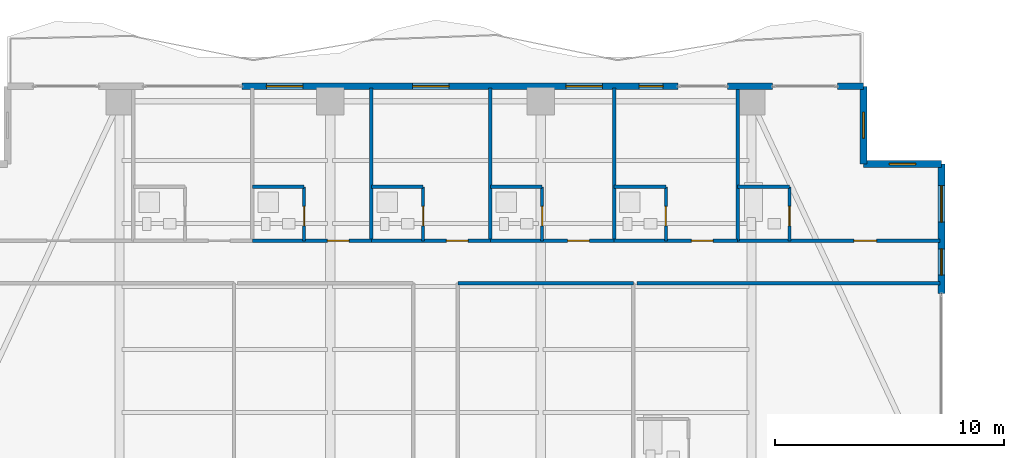
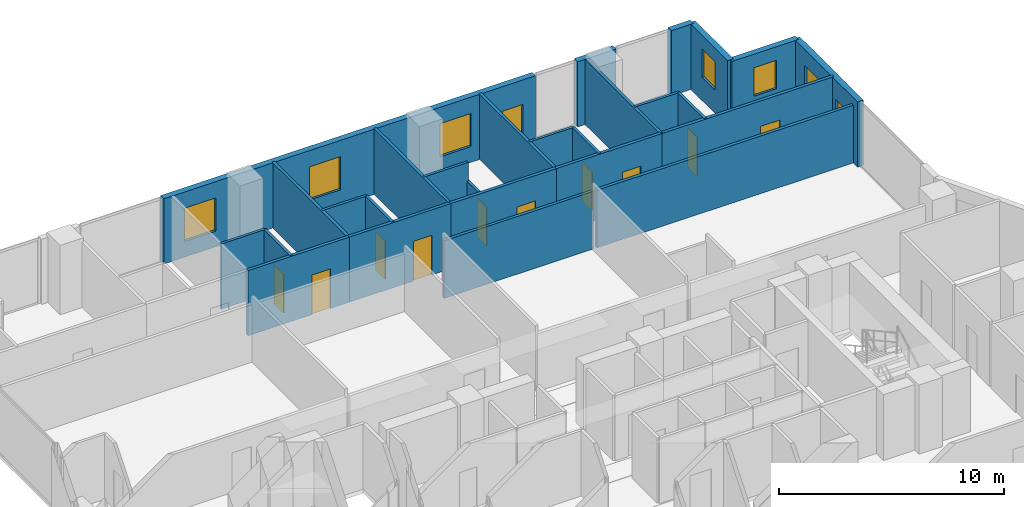
# One storey, part 28 of 33: 27 walls, 11 doors, 7 windows, 18 openings.
"""IFC4 building model written with IfcOpenShell, lengths in metres."""

from ifc_helpers import new_model, si_unit, direction, frame, frame_2d, origin, place, context, subcontext, project, spatial, rectangle, extrude, material, layer, layer_set, type_object, element, fill, save


model = new_model("IFC4")

# Units and contexts
model_context = context("Model", 3, precision=1e-05, world=origin(), true_north=direction((0.0, 1.0)))
body_context = subcontext(model_context, "Body", "Model", "MODEL_VIEW")
ifc_project = project(units=[si_unit("LENGTHUNIT", "METRE"), si_unit("AREAUNIT", "SQUARE_METRE"), si_unit("VOLUMEUNIT", "CUBIC_METRE"), si_unit("PLANEANGLEUNIT", "RADIAN"), si_unit("MASSUNIT", "GRAM", prefix="KILO")], contexts=[model_context])

# Site, building, storey
site_placement = place(None, origin())
site = spatial("IfcSite", under=ifc_project, at=site_placement, CompositionType="ELEMENT")
building_placement = place(site_placement, origin())
building = spatial("IfcBuilding", under=site, at=building_placement, Name="Zuhayl Quay Hotel", CompositionType="ELEMENT")
storey_placement = place(building_placement, frame((0.0, 0.0, 207.39990234375)))
storey = spatial("IfcBuildingStorey", under=building, at=storey_placement, Name="L52", CompositionType="ELEMENT", Elevation=207.39990234375)

# Wall, openings, door, windows
ifc_material_1 = material(Name="Precast concrete C45/55", Category="concrete")
ifc_layer_1 = layer(ifc_material_1, 0.300048828125, Name="Precast concrete C45/55", Category="concrete")
ifc_layer_set_1 = layer_set([ifc_layer_1], Name="Precast concrete C45/55")
wall_type_1 = type_object("IfcWallType", Name="WL_EXT_300", PredefinedType="STANDARD", material=ifc_layer_set_1)
wall_1_placement = place(storey_placement, frame((-8.449951171875, 33.60009765625, 0.0), z_axis=(0.0, 0.0, 1.0), x_axis=(1.0, 0.0, 0.0)))
wall_1 = element("IfcWall", 1, at=wall_1_placement, inside=storey, type_object=wall_type_1, Name="L52 Exterior Precast Wall ENV_L52_N_EW3", PredefinedType="STANDARD", context=body_context, shape_type="SweptSolid", body=[
    extrude(rectangle(XDim=19.044921875, YDim=0.300048828125, at=frame_2d((9.5224609375, 0.0))), origin(), (0.0, 0.0, 1.0), 3.530029296875),
])
opening_1_placement = place(wall_1_placement, frame((17.344970703125, 0.0, 0.0)))
opening_1 = element("IfcOpeningElement", 2, at=opening_1_placement, cuts=wall_1, Name="Opening DG1", PredefinedType="OPENING", context=body_context, shape_type="SweptSolid", body=[
    extrude(rectangle(XDim=1.050048828125, YDim=2.199951171875, at=frame_2d((0.52490234375, 1.10009765625))), frame((0.0, 0.159912109375, 0.0), z_axis=(0.0, -1.0, 0.0), x_axis=(1.0, 0.0, 0.0)), (0.0, 0.0, 1.0), 0.320068359375),
])
opening_2_placement = place(wall_1_placement, frame((7.449951171875, 0.0, 0.85009765625)))
opening_2 = element("IfcOpeningElement", 3, at=opening_2_placement, cuts=wall_1, Name="Opening W01", PredefinedType="OPENING", context=body_context, shape_type="SweptSolid", body=[
    extrude(rectangle(XDim=1.60009765625, YDim=1.800048828125, at=frame_2d((0.800048828125, 0.89990234375))), frame((0.0, 0.159912109375, 0.0), z_axis=(0.0, -1.0, 0.0), x_axis=(1.0, 0.0, 0.0)), (0.0, 0.0, 1.0), 0.320068359375),
])
opening_3_placement = place(wall_1_placement, frame((1.06005859375, 0.0, 0.85009765625)))
opening_3 = element("IfcOpeningElement", 4, at=opening_3_placement, cuts=wall_1, Name="Opening W01", PredefinedType="OPENING", context=body_context, shape_type="SweptSolid", body=[
    extrude(rectangle(XDim=1.60009765625, YDim=1.800048828125, at=frame_2d((0.800048828125, 0.89990234375))), frame((0.0, 0.159912109375, 0.0), z_axis=(0.0, -1.0, 0.0), x_axis=(1.0, 0.0, 0.0)), (0.0, 0.0, 1.0), 0.320068359375),
])
opening_4_placement = place(wall_1_placement, frame((14.139892578125, 0.0, 0.85009765625)))
opening_4 = element("IfcOpeningElement", 5, at=opening_4_placement, cuts=wall_1, Name="Opening W01", PredefinedType="OPENING", context=body_context, shape_type="SweptSolid", body=[
    extrude(rectangle(XDim=1.60009765625, YDim=1.800048828125, at=frame_2d((0.800048828125, 0.89990234375))), frame((0.0, 0.159912109375, 0.0), z_axis=(0.0, -1.0, 0.0), x_axis=(1.0, 0.0, 0.0)), (0.0, 0.0, 1.0), 0.320068359375),
])
ifc_material_2 = material(Name="Anodised Aluminium and Dark Solar Glass", Category="aluminium")
door_type_1 = type_object("IfcDoorType", Name="DR_EXT_TERR_1050", OperationType="NOTDEFINED", PredefinedType="DOOR", material=ifc_material_2)
door_1_placement = place(opening_1_placement, origin())
door_1 = element("IfcDoor", 6, at=door_1_placement, inside=storey, type_object=door_type_1, Name="L52 North Rippling Balcony Door", OperationType="SINGLE_SWING_LEFT", OverallHeight=2.199951171875, OverallWidth=1.050048828125, PredefinedType="DOOR", context=body_context, shape_type="SweptSolid", body=[
    extrude(rectangle(XDim=1.050048828125, YDim=2.199951171875, at=frame_2d((0.52490234375, 1.10009765625))), frame((0.0, 0.02490234375, 0.0), z_axis=(0.0, -1.0, 0.0), x_axis=(1.0, 0.0, 0.0)), (0.0, 0.0, 1.0), 0.050048828125),
])
fill(opening_1, door_1)
ifc_material_3 = material(Name="Dark Ceramic-Fritted Solar Glass", Category="glass")
window_type_1 = type_object("IfcWindowType", Name="WN_OPERABLE_1600", PartitioningType="DOUBLE_PANEL_VERTICAL", PredefinedType="WINDOW", material=ifc_material_3)
window_1_placement = place(opening_2_placement, origin())
window_1 = element("IfcWindow", 7, at=window_1_placement, inside=storey, type_object=window_type_1, Name="L52 North Operable Casement Window", OverallHeight=1.800048828125, OverallWidth=1.60009765625, PartitioningType="SINGLE_PANEL", PredefinedType="WINDOW", context=body_context, shape_type="SweptSolid", body=[
    extrude(rectangle(XDim=1.60009765625, YDim=1.800048828125, at=frame_2d((0.800048828125, 0.89990234375))), frame((0.0, 0.030029296875, 0.0), z_axis=(0.0, -1.0, 0.0), x_axis=(1.0, 0.0, 0.0)), (0.0, 0.0, 1.0), 0.06005859375),
])
fill(opening_2, window_1)
window_2_placement = place(opening_3_placement, origin())
window_2 = element("IfcWindow", 8, at=window_2_placement, inside=storey, type_object=window_type_1, Name="L52 Operable Facade Window 3-1", OverallHeight=1.800048828125, OverallWidth=1.60009765625, PartitioningType="SINGLE_PANEL", PredefinedType="WINDOW", context=body_context, shape_type="SweptSolid", body=[
    extrude(rectangle(XDim=1.60009765625, YDim=1.800048828125, at=frame_2d((0.800048828125, 0.89990234375))), frame((0.0, 0.030029296875, 0.0), z_axis=(0.0, -1.0, 0.0), x_axis=(1.0, 0.0, 0.0)), (0.0, 0.0, 1.0), 0.06005859375),
])
fill(opening_3, window_2)
window_3_placement = place(opening_4_placement, origin())
window_3 = element("IfcWindow", 9, at=window_3_placement, inside=storey, type_object=window_type_1, Name="L52 Operable Facade Window 3-2", OverallHeight=1.800048828125, OverallWidth=1.60009765625, PartitioningType="SINGLE_PANEL", PredefinedType="WINDOW", context=body_context, shape_type="SweptSolid", body=[
    extrude(rectangle(XDim=1.60009765625, YDim=1.800048828125, at=frame_2d((0.800048828125, 0.89990234375))), frame((0.0, 0.030029296875, 0.0), z_axis=(0.0, -1.0, 0.0), x_axis=(1.0, 0.0, 0.0)), (0.0, 0.0, 1.0), 0.06005859375),
])
fill(opening_4, window_3)

# Walls
wall_2_placement = place(storey_placement, frame((12.75, 33.60009765625, 0.0), z_axis=(0.0, 0.0, 1.0), x_axis=(1.0, 0.0, 0.0)))
element("IfcWall", 10, at=wall_2_placement, inside=storey, type_object=wall_type_1, Name="L52 Exterior Precast Wall ENV_L52_N_EW4", PredefinedType="STANDARD", context=body_context, shape_type="SweptSolid", body=[
    extrude(rectangle(XDim=1.969970703125, YDim=0.300048828125, at=frame_2d((0.98486328125, 0.0))), origin(), (0.0, 0.0, 1.0), 3.530029296875),
])
wall_3_placement = place(storey_placement, frame((17.550048828125, 33.60009765625, 0.0), z_axis=(0.0, 0.0, 1.0), x_axis=(1.0, 0.0, 0.0)))
element("IfcWall", 11, at=wall_3_placement, inside=storey, type_object=wall_type_1, Name="L52 Exterior Precast Wall ENV_L52_N_EW5", PredefinedType="STANDARD", context=body_context, shape_type="SweptSolid", body=[
    extrude(rectangle(XDim=1.14990234375, YDim=0.300048828125, at=frame_2d((0.574951171875, 0.0))), origin(), (0.0, 0.0, 1.0), 3.530029296875),
])

# Wall, opening, window
wall_4_placement = place(storey_placement, frame((18.699951171875, 33.60009765625, 0.0), z_axis=(0.0, 0.0, 1.0), x_axis=(0.0, -1.0, 0.0)))
wall_4 = element("IfcWall", 12, at=wall_4_placement, inside=storey, type_object=wall_type_1, Name="L52 Exterior Precast Wall ENV_L52_EW09", PredefinedType="STANDARD", context=body_context, shape_type="SweptSolid", body=[
    extrude(rectangle(XDim=3.400146484375, YDim=0.300048828125, at=frame_2d((1.7001953125, 0.0))), origin(), (0.0, 0.0, 1.0), 3.530029296875),
])
opening_5_placement = place(wall_4_placement, frame((1.125, 0.0, 1.25)))
opening_5 = element("IfcOpeningElement", 13, at=opening_5_placement, cuts=wall_4, Name="Opening W01N", PredefinedType="OPENING", context=body_context, shape_type="SweptSolid", body=[
    extrude(rectangle(XDim=1.14990234375, YDim=1.550048828125, at=frame_2d((0.574951171875, 0.77490234375))), frame((0.0, 0.159912109375, 0.0), z_axis=(0.0, -1.0, 0.0), x_axis=(1.0, 0.0, 0.0)), (0.0, 0.0, 1.0), 0.320068359375),
])
window_type_2 = type_object("IfcWindowType", Name="WN_NOTCH_1350", PartitioningType="SINGLE_PANEL", PredefinedType="WINDOW", material=ifc_material_3)
window_4_placement = place(opening_5_placement, origin())
window_4 = element("IfcWindow", 14, at=window_4_placement, inside=storey, type_object=window_type_2, Name="L52 Corner Notch Window 9", OverallHeight=1.550048828125, OverallWidth=1.14990234375, PartitioningType="SINGLE_PANEL", PredefinedType="WINDOW", context=body_context, shape_type="SweptSolid", body=[
    extrude(rectangle(XDim=1.14990234375, YDim=1.550048828125, at=frame_2d((0.574951171875, 0.77490234375))), frame((0.0, 0.030029296875, 0.0), z_axis=(0.0, -1.0, 0.0), x_axis=(1.0, 0.0, 0.0)), (0.0, 0.0, 1.0), 0.06005859375),
])
fill(opening_5, window_4)

wall_5_placement = place(storey_placement, frame((18.699951171875, 30.199951171875, 0.0), z_axis=(0.0, 0.0, 1.0), x_axis=(1.0, 0.0, 0.0)))
wall_5 = element("IfcWall", 15, at=wall_5_placement, inside=storey, type_object=wall_type_1, Name="L52 Exterior Precast Wall ENV_L52_EW10", PredefinedType="STANDARD", context=body_context, shape_type="SweptSolid", body=[
    extrude(rectangle(XDim=3.400146484375, YDim=0.300048828125, at=frame_2d((1.7001953125, 0.0))), origin(), (0.0, 0.0, 1.0), 3.530029296875),
])
opening_6_placement = place(wall_5_placement, frame((1.125, 0.0, 1.25)))
opening_6 = element("IfcOpeningElement", 16, at=opening_6_placement, cuts=wall_5, Name="Opening W01N", PredefinedType="OPENING", context=body_context, shape_type="SweptSolid", body=[
    extrude(rectangle(XDim=1.14990234375, YDim=1.550048828125, at=frame_2d((0.574951171875, 0.77490234375))), frame((0.0, 0.159912109375, 0.0), z_axis=(0.0, -1.0, 0.0), x_axis=(1.0, 0.0, 0.0)), (0.0, 0.0, 1.0), 0.320068359375),
])
window_5_placement = place(opening_6_placement, origin())
window_5 = element("IfcWindow", 17, at=window_5_placement, inside=storey, type_object=window_type_2, Name="L52 Corner Notch Window 10", OverallHeight=1.550048828125, OverallWidth=1.14990234375, PartitioningType="SINGLE_PANEL", PredefinedType="WINDOW", context=body_context, shape_type="SweptSolid", body=[
    extrude(rectangle(XDim=1.14990234375, YDim=1.550048828125, at=frame_2d((0.574951171875, 0.77490234375))), frame((0.0, 0.030029296875, 0.0), z_axis=(0.0, -1.0, 0.0), x_axis=(1.0, 0.0, 0.0)), (0.0, 0.0, 1.0), 0.06005859375),
])
fill(opening_6, window_5)

# Wall, openings, windows
wall_6_placement = place(storey_placement, frame((22.10009765625, 30.199951171875, 0.0), z_axis=(0.0, 0.0, 1.0), x_axis=(0.0, -1.0, 0.0)))
wall_6 = element("IfcWall", 18, at=wall_6_placement, inside=storey, type_object=wall_type_1, Name="L52 Exterior Precast Wall ENV_L52_E11_EW1", PredefinedType="STANDARD", context=body_context, shape_type="SweptSolid", body=[
    extrude(rectangle(XDim=5.64990234375, YDim=0.300048828125, at=frame_2d((2.824951171875, 0.0))), origin(), (0.0, 0.0, 1.0), 3.530029296875),
])
opening_7_placement = place(wall_6_placement, frame((0.93505859375, 0.0, 0.85009765625)))
opening_7 = element("IfcOpeningElement", 19, at=opening_7_placement, cuts=wall_6, Name="Opening W01", PredefinedType="OPENING", context=body_context, shape_type="SweptSolid", body=[
    extrude(rectangle(XDim=1.60009765625, YDim=1.800048828125, at=frame_2d((0.800048828125, 0.89990234375))), frame((0.0, 0.159912109375, 0.0), z_axis=(0.0, -1.0, 0.0), x_axis=(1.0, 0.0, 0.0)), (0.0, 0.0, 1.0), 0.320068359375),
])
opening_8_placement = place(wall_6_placement, frame((3.699951171875, 0.0, 0.949951171875)))
opening_8 = element("IfcOpeningElement", 20, at=opening_8_placement, cuts=wall_6, Name="Opening W01N", PredefinedType="OPENING", context=body_context, shape_type="SweptSolid", body=[
    extrude(rectangle(XDim=1.14990234375, YDim=1.550048828125, at=frame_2d((0.574951171875, 0.77490234375))), frame((0.0, 0.159912109375, 0.0), z_axis=(0.0, -1.0, 0.0), x_axis=(1.0, 0.0, 0.0)), (0.0, 0.0, 1.0), 0.320068359375),
])
window_6_placement = place(opening_8_placement, origin())
window_6 = element("IfcWindow", 21, at=window_6_placement, inside=storey, type_object=window_type_2, Name="L52 Operable Facade Window 1-2", OverallHeight=1.550048828125, OverallWidth=1.14990234375, PartitioningType="SINGLE_PANEL", PredefinedType="WINDOW", context=body_context, shape_type="SweptSolid", body=[
    extrude(rectangle(XDim=1.14990234375, YDim=1.550048828125, at=frame_2d((0.574951171875, 0.77490234375))), frame((0.0, 0.030029296875, 0.0), z_axis=(0.0, -1.0, 0.0), x_axis=(1.0, 0.0, 0.0)), (0.0, 0.0, 1.0), 0.06005859375),
])
fill(opening_8, window_6)
window_7_placement = place(opening_7_placement, origin())
window_7 = element("IfcWindow", 22, at=window_7_placement, inside=storey, type_object=window_type_1, Name="L52 Operable Facade Window 1-1", OverallHeight=1.800048828125, OverallWidth=1.60009765625, PartitioningType="SINGLE_PANEL", PredefinedType="WINDOW", context=body_context, shape_type="SweptSolid", body=[
    extrude(rectangle(XDim=1.60009765625, YDim=1.800048828125, at=frame_2d((0.800048828125, 0.89990234375))), frame((0.0, 0.030029296875, 0.0), z_axis=(0.0, -1.0, 0.0), x_axis=(1.0, 0.0, 0.0)), (0.0, 0.0, 1.0), 0.06005859375),
])
fill(opening_7, window_7)

# Walls
ifc_material_4 = material(Name="Acoustic Gypsum Partition STC-58")
ifc_layer_2 = layer(ifc_material_4, 0.14990234375, Name="Acoustic Gypsum Partition STC-58")
ifc_layer_set_2 = layer_set([ifc_layer_2], Name="Acoustic Gypsum Partition STC-58")
wall_type_2 = type_object("IfcWallType", Name="WL_PART_150", PredefinedType="PARTITIONING", material=ifc_layer_set_2)
for number, where, z_axis, x_axis, name in (
    (23, (-2.800048828125, 26.85009765625, 0.0), (0.0, 0.0, 1.0), (0.0, 1.0, 0.0), "L52 Partition IW_L52_NU03_E"),
    (24, (2.39990234375, 26.85009765625, 0.0), (0.0, 0.0, 1.0), (0.0, 1.0, 0.0), "L52 Partition IW_L52_NU04_E"),
    (25, (7.800048828125, 26.85009765625, 0.0), (0.0, 0.0, 1.0), (0.0, 1.0, 0.0), "L52 Partition IW_L52_NU05_E"),
    (26, (13.199951171875, 26.85009765625, 0.0), (0.0, 0.0, 1.0), (0.0, 1.0, 0.0), "L52 Partition IW_L52_NU06_E"),
):
    element("IfcWall", number, at=place(storey_placement, frame(where, z_axis=z_axis, x_axis=x_axis)), inside=storey, type_object=wall_type_2, Name=name, PredefinedType="PARTITIONING", context=body_context, shape_type="SweptSolid", body=[
        extrude(rectangle(XDim=6.669921875, YDim=0.14990234375, at=frame_2d((3.3349609375, 0.0))), origin(), (0.0, 0.0, 1.0), 3.530029296875),
    ])
wall_7_placement = place(storey_placement, frame((0.97998046875, 25.0, 0.0), z_axis=(0.0, 0.0, 1.0), x_axis=(1.0, 0.0, 0.0)))
element("IfcWall", 27, at=wall_7_placement, inside=storey, type_object=wall_type_2, Name="L52 Partition IW_L52_Z3_MID_E_N", PredefinedType="PARTITIONING", context=body_context, shape_type="SweptSolid", body=[
    extrude(rectangle(XDim=7.659912109375, YDim=0.14990234375, at=frame_2d((3.830078125, 0.0))), origin(), (0.0, 0.0, 1.0), 3.1240234375),
])

# Wall, opening, door
ifc_layer_3 = layer(ifc_material_4, 0.159912109375, Name="Acoustic Gypsum Partition STC-58")
ifc_layer_set_3 = layer_set([ifc_layer_3], Name="Acoustic Gypsum Partition STC-58")
wall_type_3 = type_object("IfcWallType", Name="WL_PART_CORR_160", PredefinedType="PARTITIONING", material=ifc_layer_set_3)
wall_8_placement = place(storey_placement, frame((-8.0, 26.85009765625, 0.0), z_axis=(0.0, 0.0, 1.0), x_axis=(1.0, 0.0, 0.0)))
wall_8 = element("IfcWall", 28, at=wall_8_placement, inside=storey, type_object=wall_type_3, Name="L52 Partition IW_L52_NU03_COR", PredefinedType="PARTITIONING", context=body_context, shape_type="SweptSolid", body=[
    extrude(rectangle(XDim=5.199951171875, YDim=0.159912109375, at=frame_2d((2.60009765625, 0.0))), origin(), (0.0, 0.0, 1.0), 3.530029296875),
])
opening_9_placement = place(wall_8_placement, frame((3.27490234375, 0.0, 0.0)))
opening_9 = element("IfcOpeningElement", 29, at=opening_9_placement, cuts=wall_8, Name="Opening D03", PredefinedType="OPENING", context=body_context, shape_type="SweptSolid", body=[
    extrude(rectangle(XDim=0.949951171875, YDim=2.14990234375, at=frame_2d((0.47509765625, 1.074951171875))), frame((0.0, 0.08984375, 0.0), z_axis=(0.0, -1.0, 0.0), x_axis=(1.0, 0.0, 0.0)), (0.0, 0.0, 1.0), 0.179931640625),
])
ifc_material_5 = material(Name="Solid Walnut Acoustic Fire Door")
door_type_2 = type_object("IfcDoorType", Name="DR_SUITE_950", OperationType="NOTDEFINED", PredefinedType="DOOR", material=ifc_material_5)
door_2_placement = place(opening_9_placement, origin())
door_2 = element("IfcDoor", 30, at=door_2_placement, inside=storey, type_object=door_type_2, Name="L52 Panoramic Gulf Guest Room L52-03 Entrance Door", OperationType="SINGLE_SWING_LEFT", OverallHeight=2.14990234375, OverallWidth=0.949951171875, PredefinedType="DOOR", context=body_context, shape_type="SweptSolid", body=[
    extrude(rectangle(XDim=0.949951171875, YDim=2.14990234375, at=frame_2d((0.47509765625, 1.074951171875))), frame((0.0, 0.02490234375, 0.0), z_axis=(0.0, -1.0, 0.0), x_axis=(1.0, 0.0, 0.0)), (0.0, 0.0, 1.0), 0.050048828125),
])
fill(opening_9, door_2)

wall_9_placement = place(storey_placement, frame((-2.800048828125, 26.85009765625, 0.0), z_axis=(0.0, 0.0, 1.0), x_axis=(1.0, 0.0, 0.0)))
wall_9 = element("IfcWall", 31, at=wall_9_placement, inside=storey, type_object=wall_type_3, Name="L52 Partition IW_L52_NU04_COR", PredefinedType="PARTITIONING", context=body_context, shape_type="SweptSolid", body=[
    extrude(rectangle(XDim=5.199951171875, YDim=0.159912109375, at=frame_2d((2.60009765625, 0.0))), origin(), (0.0, 0.0, 1.0), 3.530029296875),
])
opening_10_placement = place(wall_9_placement, frame((3.27490234375, 0.0, 0.0)))
opening_10 = element("IfcOpeningElement", 32, at=opening_10_placement, cuts=wall_9, Name="Opening D03", PredefinedType="OPENING", context=body_context, shape_type="SweptSolid", body=[
    extrude(rectangle(XDim=0.949951171875, YDim=2.14990234375, at=frame_2d((0.47509765625, 1.074951171875))), frame((0.0, 0.08984375, 0.0), z_axis=(0.0, -1.0, 0.0), x_axis=(1.0, 0.0, 0.0)), (0.0, 0.0, 1.0), 0.179931640625),
])
door_3_placement = place(opening_10_placement, origin())
door_3 = element("IfcDoor", 33, at=door_3_placement, inside=storey, type_object=door_type_2, Name="L52 Panoramic Gulf Guest Room L52-04 Entrance Door", OperationType="SINGLE_SWING_LEFT", OverallHeight=2.14990234375, OverallWidth=0.949951171875, PredefinedType="DOOR", context=body_context, shape_type="SweptSolid", body=[
    extrude(rectangle(XDim=0.949951171875, YDim=2.14990234375, at=frame_2d((0.47509765625, 1.074951171875))), frame((0.0, 0.02490234375, 0.0), z_axis=(0.0, -1.0, 0.0), x_axis=(1.0, 0.0, 0.0)), (0.0, 0.0, 1.0), 0.050048828125),
])
fill(opening_10, door_3)

wall_10_placement = place(storey_placement, frame((2.39990234375, 26.85009765625, 0.0), z_axis=(0.0, 0.0, 1.0), x_axis=(1.0, 0.0, 0.0)))
wall_10 = element("IfcWall", 34, at=wall_10_placement, inside=storey, type_object=wall_type_3, Name="L52 Partition IW_L52_NU05_COR", PredefinedType="PARTITIONING", context=body_context, shape_type="SweptSolid", body=[
    extrude(rectangle(XDim=5.400146484375, YDim=0.159912109375, at=frame_2d((2.7001953125, 0.0))), origin(), (0.0, 0.0, 1.0), 3.530029296875),
])
opening_11_placement = place(wall_10_placement, frame((3.375, 0.0, 0.0)))
opening_11 = element("IfcOpeningElement", 35, at=opening_11_placement, cuts=wall_10, Name="Opening D03", PredefinedType="OPENING", context=body_context, shape_type="SweptSolid", body=[
    extrude(rectangle(XDim=0.949951171875, YDim=2.14990234375, at=frame_2d((0.47509765625, 1.074951171875))), frame((0.0, 0.08984375, 0.0), z_axis=(0.0, -1.0, 0.0), x_axis=(1.0, 0.0, 0.0)), (0.0, 0.0, 1.0), 0.179931640625),
])
door_4_placement = place(opening_11_placement, origin())
door_4 = element("IfcDoor", 36, at=door_4_placement, inside=storey, type_object=door_type_2, Name="L52 Panoramic Gulf Guest Room L52-05 Entrance Door", OperationType="SINGLE_SWING_LEFT", OverallHeight=2.14990234375, OverallWidth=0.949951171875, PredefinedType="DOOR", context=body_context, shape_type="SweptSolid", body=[
    extrude(rectangle(XDim=0.949951171875, YDim=2.14990234375, at=frame_2d((0.47509765625, 1.074951171875))), frame((0.0, 0.02490234375, 0.0), z_axis=(0.0, -1.0, 0.0), x_axis=(1.0, 0.0, 0.0)), (0.0, 0.0, 1.0), 0.050048828125),
])
fill(opening_11, door_4)

wall_11_placement = place(storey_placement, frame((7.800048828125, 26.85009765625, 0.0), z_axis=(0.0, 0.0, 1.0), x_axis=(1.0, 0.0, 0.0)))
wall_11 = element("IfcWall", 37, at=wall_11_placement, inside=storey, type_object=wall_type_3, Name="L52 Partition IW_L52_NU06_COR", PredefinedType="PARTITIONING", context=body_context, shape_type="SweptSolid", body=[
    extrude(rectangle(XDim=5.39990234375, YDim=0.159912109375, at=frame_2d((2.699951171875, 0.0))), origin(), (0.0, 0.0, 1.0), 3.530029296875),
])
opening_12_placement = place(wall_11_placement, frame((3.375, 0.0, 0.0)))
opening_12 = element("IfcOpeningElement", 38, at=opening_12_placement, cuts=wall_11, Name="Opening D03", PredefinedType="OPENING", context=body_context, shape_type="SweptSolid", body=[
    extrude(rectangle(XDim=0.949951171875, YDim=2.14990234375, at=frame_2d((0.47509765625, 1.074951171875))), frame((0.0, 0.08984375, 0.0), z_axis=(0.0, -1.0, 0.0), x_axis=(1.0, 0.0, 0.0)), (0.0, 0.0, 1.0), 0.179931640625),
])
door_5_placement = place(opening_12_placement, origin())
door_5 = element("IfcDoor", 39, at=door_5_placement, inside=storey, type_object=door_type_2, Name="L52 Panoramic Gulf Guest Room L52-06 Entrance Door", OperationType="SINGLE_SWING_LEFT", OverallHeight=2.14990234375, OverallWidth=0.949951171875, PredefinedType="DOOR", context=body_context, shape_type="SweptSolid", body=[
    extrude(rectangle(XDim=0.949951171875, YDim=2.14990234375, at=frame_2d((0.47509765625, 1.074951171875))), frame((0.0, 0.02490234375, 0.0), z_axis=(0.0, -1.0, 0.0), x_axis=(1.0, 0.0, 0.0)), (0.0, 0.0, 1.0), 0.050048828125),
])
fill(opening_12, door_5)

wall_12_placement = place(storey_placement, frame((13.199951171875, 26.85009765625, 0.0), z_axis=(0.0, 0.0, 1.0), x_axis=(1.0, 0.0, 0.0)))
wall_12 = element("IfcWall", 40, at=wall_12_placement, inside=storey, type_object=wall_type_3, Name="L52 Partition IW_L52_NU07_COR", PredefinedType="PARTITIONING", context=body_context, shape_type="SweptSolid", body=[
    extrude(rectangle(XDim=8.840087890625, YDim=0.159912109375, at=frame_2d((4.419921875, 0.0))), origin(), (0.0, 0.0, 1.0), 3.530029296875),
])
opening_13_placement = place(wall_12_placement, frame((5.070068359375, 0.0, 0.0)))
opening_13 = element("IfcOpeningElement", 41, at=opening_13_placement, cuts=wall_12, Name="Opening D03L", PredefinedType="OPENING", context=body_context, shape_type="SweptSolid", body=[
    extrude(rectangle(XDim=1.0, YDim=2.14990234375, at=frame_2d((0.5, 1.074951171875))), frame((0.0, 0.08984375, 0.0), z_axis=(0.0, -1.0, 0.0), x_axis=(1.0, 0.0, 0.0)), (0.0, 0.0, 1.0), 0.179931640625),
])
door_type_3 = type_object("IfcDoorType", Name="DR_SUITE_1000", OperationType="NOTDEFINED", PredefinedType="DOOR", material=ifc_material_5)
door_6_placement = place(opening_13_placement, origin())
door_6 = element("IfcDoor", 42, at=door_6_placement, inside=storey, type_object=door_type_3, Name="L52 Panoramic Gulf Guest Room L52-07 Entrance Door", OperationType="SINGLE_SWING_LEFT", OverallHeight=2.14990234375, OverallWidth=1.0, PredefinedType="DOOR", context=body_context, shape_type="SweptSolid", body=[
    extrude(rectangle(XDim=1.0, YDim=2.14990234375, at=frame_2d((0.5, 1.074951171875))), frame((0.0, 0.02490234375, 0.0), z_axis=(0.0, -1.0, 0.0), x_axis=(1.0, 0.0, 0.0)), (0.0, 0.0, 1.0), 0.050048828125),
])
fill(opening_13, door_6)

# Wall
wall_13_placement = place(storey_placement, frame((8.800048828125, 25.0, 0.0), z_axis=(0.0, 0.0, 1.0), x_axis=(1.0, 0.0, 0.0)))
element("IfcWall", 43, at=wall_13_placement, inside=storey, type_object=wall_type_3, Name="L52 Partition IW_L52_MU04_BK", PredefinedType="PARTITIONING", context=body_context, shape_type="SweptSolid", body=[
    extrude(rectangle(XDim=13.239990234375, YDim=0.159912109375, at=frame_2d((6.6201171875, 0.0))), origin(), (0.0, 0.0, 1.0), 3.1240234375),
])

# Wall, opening, door
ifc_material_6 = material(Name="Moisture-Resistant Sanitarychase Gypsum")
ifc_layer_4 = layer(ifc_material_6, 0.135009765625, Name="Moisture-Resistant Sanitarychase Gypsum")
ifc_layer_set_4 = layer_set([ifc_layer_4], Name="Moisture-Resistant Sanitarychase Gypsum")
wall_type_4 = type_object("IfcWallType", Name="WL_PART_PLUMB_150", PredefinedType="PLUMBINGWALL", material=ifc_layer_set_4)
wall_14_placement = place(storey_placement, frame((-5.739990234375, 26.85009765625, 0.0), z_axis=(0.0, 0.0, 1.0), x_axis=(0.0, 1.0, 0.0)))
wall_14 = element("IfcWall", 44, at=wall_14_placement, inside=storey, type_object=wall_type_4, Name="L52 Partition IW_L52_NU03_BE", PredefinedType="PLUMBINGWALL", context=body_context, shape_type="SweptSolid", body=[
    extrude(rectangle(XDim=2.35986328125, YDim=0.135009765625, at=frame_2d((1.179931640625, 0.0))), origin(), (0.0, 0.0, 1.0), 3.530029296875),
])
opening_14_placement = place(wall_14_placement, frame((0.64990234375, 0.0, 0.0)))
opening_14 = element("IfcOpeningElement", 45, at=opening_14_placement, cuts=wall_14, Name="Opening D04", PredefinedType="OPENING", context=body_context, shape_type="SweptSolid", body=[
    extrude(rectangle(XDim=0.85009765625, YDim=2.10009765625, at=frame_2d((0.425048828125, 1.050048828125))), frame((0.0, 0.077392578125, 0.0), z_axis=(0.0, -1.0, 0.0), x_axis=(1.0, 0.0, 0.0)), (0.0, 0.0, 1.0), 0.155029296875),
])
ifc_material_7 = material(Name="Moisture-Resistant Walnut Veneer")
door_type_4 = type_object("IfcDoorType", Name="DR_BATH_850", OperationType="NOTDEFINED", PredefinedType="DOOR", material=ifc_material_7)
door_7_placement = place(opening_14_placement, origin())
door_7 = element("IfcDoor", 46, at=door_7_placement, inside=storey, type_object=door_type_4, Name="L52 Panoramic Gulf Guest Room L52-03 En-Suite Door", OperationType="SINGLE_SWING_RIGHT", OverallHeight=2.10009765625, OverallWidth=0.85009765625, PredefinedType="DOOR", context=body_context, shape_type="SweptSolid", body=[
    extrude(rectangle(XDim=0.85009765625, YDim=2.10009765625, at=frame_2d((0.425048828125, 1.050048828125))), frame((0.0, 0.02490234375, 0.0), z_axis=(0.0, -1.0, 0.0), x_axis=(1.0, 0.0, 0.0)), (0.0, 0.0, 1.0), 0.050048828125),
])
fill(opening_14, door_7)

wall_15_placement = place(storey_placement, frame((-0.5400390625, 26.85009765625, 0.0), z_axis=(0.0, 0.0, 1.0), x_axis=(0.0, 1.0, 0.0)))
wall_15 = element("IfcWall", 47, at=wall_15_placement, inside=storey, type_object=wall_type_4, Name="L52 Partition IW_L52_NU04_BE", PredefinedType="PLUMBINGWALL", context=body_context, shape_type="SweptSolid", body=[
    extrude(rectangle(XDim=2.35986328125, YDim=0.135009765625, at=frame_2d((1.179931640625, 0.0))), origin(), (0.0, 0.0, 1.0), 3.530029296875),
])
opening_15_placement = place(wall_15_placement, frame((0.64990234375, 0.0, 0.0)))
opening_15 = element("IfcOpeningElement", 48, at=opening_15_placement, cuts=wall_15, Name="Opening D04", PredefinedType="OPENING", context=body_context, shape_type="SweptSolid", body=[
    extrude(rectangle(XDim=0.85009765625, YDim=2.10009765625, at=frame_2d((0.425048828125, 1.050048828125))), frame((0.0, 0.077392578125, 0.0), z_axis=(0.0, -1.0, 0.0), x_axis=(1.0, 0.0, 0.0)), (0.0, 0.0, 1.0), 0.155029296875),
])
door_8_placement = place(opening_15_placement, origin())
door_8 = element("IfcDoor", 49, at=door_8_placement, inside=storey, type_object=door_type_4, Name="L52 Panoramic Gulf Guest Room L52-04 En-Suite Door", OperationType="SINGLE_SWING_RIGHT", OverallHeight=2.10009765625, OverallWidth=0.85009765625, PredefinedType="DOOR", context=body_context, shape_type="SweptSolid", body=[
    extrude(rectangle(XDim=0.85009765625, YDim=2.10009765625, at=frame_2d((0.425048828125, 1.050048828125))), frame((0.0, 0.02490234375, 0.0), z_axis=(0.0, -1.0, 0.0), x_axis=(1.0, 0.0, 0.0)), (0.0, 0.0, 1.0), 0.050048828125),
])
fill(opening_15, door_8)

wall_16_placement = place(storey_placement, frame((4.659912109375, 26.85009765625, 0.0), z_axis=(0.0, 0.0, 1.0), x_axis=(0.0, 1.0, 0.0)))
wall_16 = element("IfcWall", 50, at=wall_16_placement, inside=storey, type_object=wall_type_4, Name="L52 Partition IW_L52_NU05_BE", PredefinedType="PLUMBINGWALL", context=body_context, shape_type="SweptSolid", body=[
    extrude(rectangle(XDim=2.35986328125, YDim=0.135009765625, at=frame_2d((1.179931640625, 0.0))), origin(), (0.0, 0.0, 1.0), 2.51904296875),
])
opening_16_placement = place(wall_16_placement, frame((0.64990234375, 0.0, 0.0)))
opening_16 = element("IfcOpeningElement", 51, at=opening_16_placement, cuts=wall_16, Name="Opening D04", PredefinedType="OPENING", context=body_context, shape_type="SweptSolid", body=[
    extrude(rectangle(XDim=0.85009765625, YDim=2.10009765625, at=frame_2d((0.425048828125, 1.050048828125))), frame((0.0, 0.077392578125, 0.0), z_axis=(0.0, -1.0, 0.0), x_axis=(1.0, 0.0, 0.0)), (0.0, 0.0, 1.0), 0.155029296875),
])
door_9_placement = place(opening_16_placement, origin())
door_9 = element("IfcDoor", 52, at=door_9_placement, inside=storey, type_object=door_type_4, Name="L52 Panoramic Gulf Guest Room L52-05 En-Suite Door", OperationType="SINGLE_SWING_RIGHT", OverallHeight=2.10009765625, OverallWidth=0.85009765625, PredefinedType="DOOR", context=body_context, shape_type="SweptSolid", body=[
    extrude(rectangle(XDim=0.85009765625, YDim=2.10009765625, at=frame_2d((0.425048828125, 1.050048828125))), frame((0.0, 0.02490234375, 0.0), z_axis=(0.0, -1.0, 0.0), x_axis=(1.0, 0.0, 0.0)), (0.0, 0.0, 1.0), 0.050048828125),
])
fill(opening_16, door_9)

wall_17_placement = place(storey_placement, frame((10.06005859375, 26.85009765625, 0.0), z_axis=(0.0, 0.0, 1.0), x_axis=(0.0, 1.0, 0.0)))
wall_17 = element("IfcWall", 53, at=wall_17_placement, inside=storey, type_object=wall_type_4, Name="L52 Partition IW_L52_NU06_BE", PredefinedType="PLUMBINGWALL", context=body_context, shape_type="SweptSolid", body=[
    extrude(rectangle(XDim=2.35986328125, YDim=0.135009765625, at=frame_2d((1.179931640625, 0.0))), origin(), (0.0, 0.0, 1.0), 3.530029296875),
])
opening_17_placement = place(wall_17_placement, frame((0.64990234375, 0.0, 0.0)))
opening_17 = element("IfcOpeningElement", 54, at=opening_17_placement, cuts=wall_17, Name="Opening D04", PredefinedType="OPENING", context=body_context, shape_type="SweptSolid", body=[
    extrude(rectangle(XDim=0.85009765625, YDim=2.10009765625, at=frame_2d((0.425048828125, 1.050048828125))), frame((0.0, 0.077392578125, 0.0), z_axis=(0.0, -1.0, 0.0), x_axis=(1.0, 0.0, 0.0)), (0.0, 0.0, 1.0), 0.155029296875),
])
door_10_placement = place(opening_17_placement, origin())
door_10 = element("IfcDoor", 55, at=door_10_placement, inside=storey, type_object=door_type_4, Name="L52 Panoramic Gulf Guest Room L52-06 En-Suite Door", OperationType="SINGLE_SWING_RIGHT", OverallHeight=2.10009765625, OverallWidth=0.85009765625, PredefinedType="DOOR", context=body_context, shape_type="SweptSolid", body=[
    extrude(rectangle(XDim=0.85009765625, YDim=2.10009765625, at=frame_2d((0.425048828125, 1.050048828125))), frame((0.0, 0.02490234375, 0.0), z_axis=(0.0, -1.0, 0.0), x_axis=(1.0, 0.0, 0.0)), (0.0, 0.0, 1.0), 0.050048828125),
])
fill(opening_17, door_10)

wall_18_placement = place(storey_placement, frame((15.4599609375, 26.85009765625, 0.0), z_axis=(0.0, 0.0, 1.0), x_axis=(0.0, 1.0, 0.0)))
wall_18 = element("IfcWall", 56, at=wall_18_placement, inside=storey, type_object=wall_type_4, Name="L52 Partition IW_L52_NU07_BE", PredefinedType="PLUMBINGWALL", context=body_context, shape_type="SweptSolid", body=[
    extrude(rectangle(XDim=2.35986328125, YDim=0.135009765625, at=frame_2d((1.179931640625, 0.0))), origin(), (0.0, 0.0, 1.0), 3.530029296875),
])
opening_18_placement = place(wall_18_placement, frame((0.64990234375, 0.0, 0.0)))
opening_18 = element("IfcOpeningElement", 57, at=opening_18_placement, cuts=wall_18, Name="Opening D04", PredefinedType="OPENING", context=body_context, shape_type="SweptSolid", body=[
    extrude(rectangle(XDim=0.85009765625, YDim=2.10009765625, at=frame_2d((0.425048828125, 1.050048828125))), frame((0.0, 0.077392578125, 0.0), z_axis=(0.0, -1.0, 0.0), x_axis=(1.0, 0.0, 0.0)), (0.0, 0.0, 1.0), 0.155029296875),
])
door_11_placement = place(opening_18_placement, origin())
door_11 = element("IfcDoor", 58, at=door_11_placement, inside=storey, type_object=door_type_4, Name="L52 Panoramic Gulf Guest Room L52-07 En-Suite Door", OperationType="SINGLE_SWING_RIGHT", OverallHeight=2.10009765625, OverallWidth=0.85009765625, PredefinedType="DOOR", context=body_context, shape_type="SweptSolid", body=[
    extrude(rectangle(XDim=0.85009765625, YDim=2.10009765625, at=frame_2d((0.425048828125, 1.050048828125))), frame((0.0, 0.02490234375, 0.0), z_axis=(0.0, -1.0, 0.0), x_axis=(1.0, 0.0, 0.0)), (0.0, 0.0, 1.0), 0.050048828125),
])
fill(opening_18, door_11)

# Walls
for number, where, z_axis, x_axis, name in (
    (59, (-8.0, 29.2099609375, 0.0), (0.0, 0.0, 1.0), (1.0, 0.0, 0.0), "L52 Partition IW_L52_NU03_BN"),
    (60, (-2.800048828125, 29.2099609375, 0.0), (0.0, 0.0, 1.0), (1.0, 0.0, 0.0), "L52 Partition IW_L52_NU04_BN"),
    (61, (2.39990234375, 29.2099609375, 0.0), (0.0, 0.0, 1.0), (1.0, 0.0, 0.0), "L52 Partition IW_L52_NU05_BN"),
    (62, (7.800048828125, 29.2099609375, 0.0), (0.0, 0.0, 1.0), (1.0, 0.0, 0.0), "L52 Partition IW_L52_NU06_BN"),
    (63, (13.199951171875, 29.2099609375, 0.0), (0.0, 0.0, 1.0), (1.0, 0.0, 0.0), "L52 Partition IW_L52_NU07_BN"),
):
    element("IfcWall", number, at=place(storey_placement, frame(where, z_axis=z_axis, x_axis=x_axis)), inside=storey, type_object=wall_type_4, Name=name, PredefinedType="PLUMBINGWALL", context=body_context, shape_type="SweptSolid", body=[
        extrude(rectangle(XDim=2.260009765625, YDim=0.135009765625, at=frame_2d((1.1298828125, 0.0))), origin(), (0.0, 0.0, 1.0), 3.530029296875),
    ])

save(model, "model.ifc")
